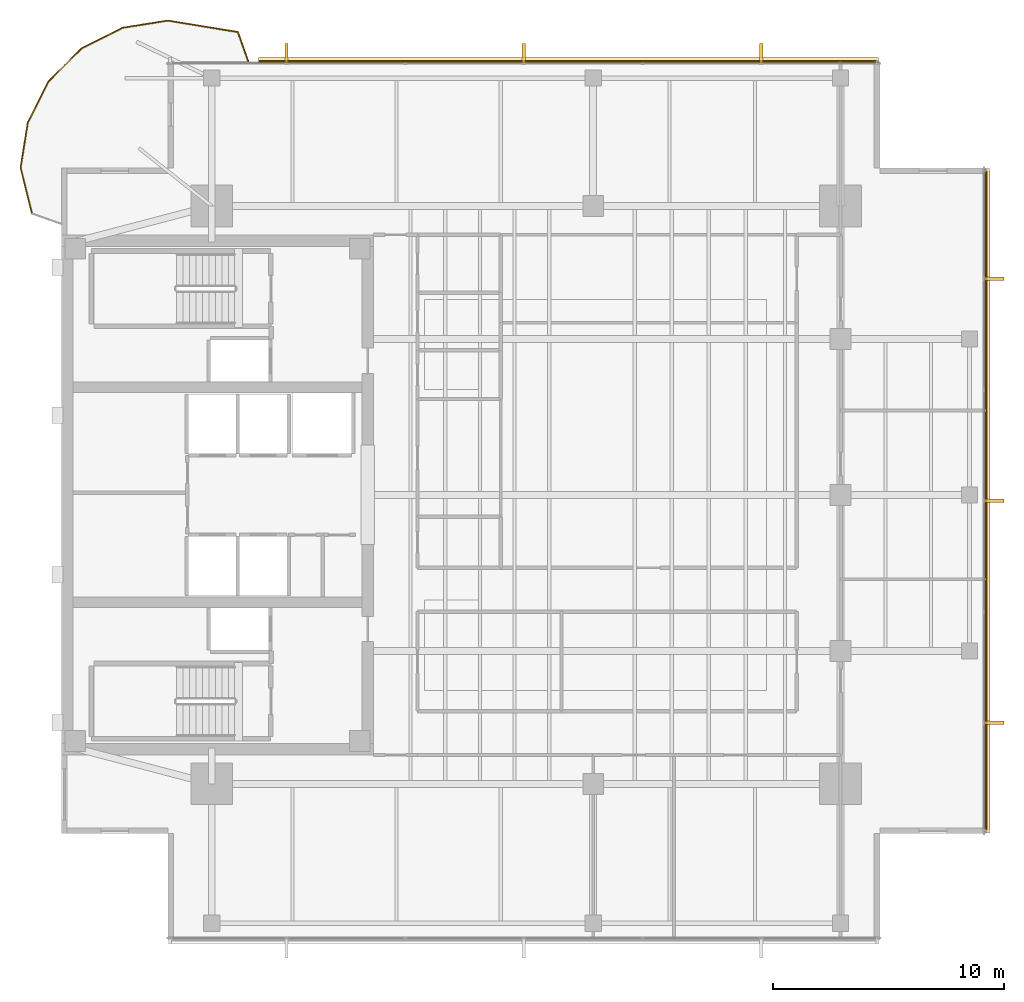
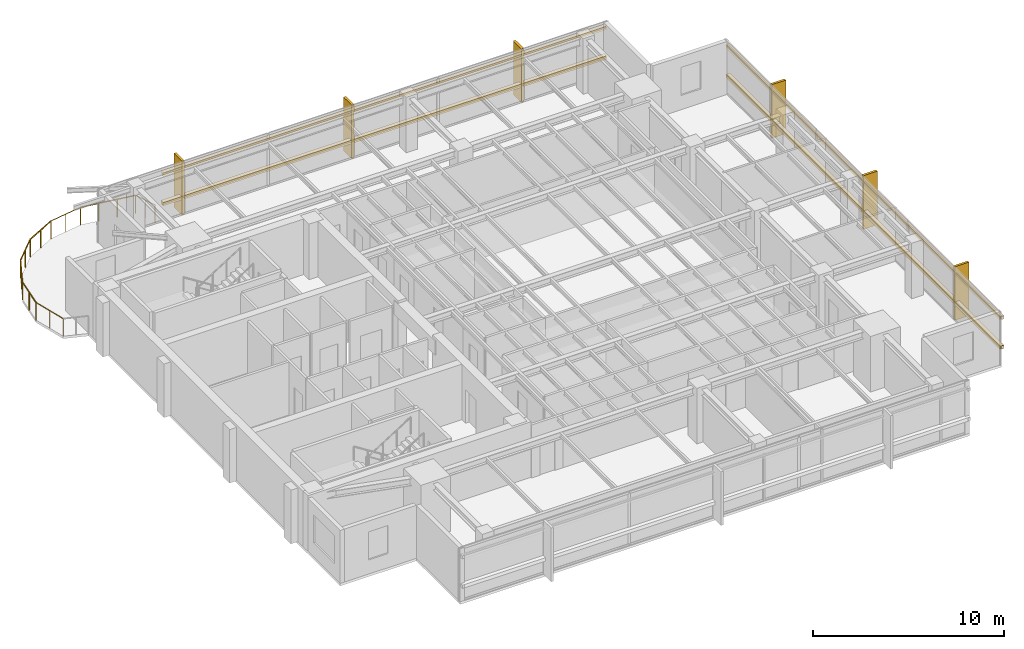
# One storey, part 14 of 14: 10 coverings, 8 railings, 4 shading devices.
"""IFC4 building model written with IfcOpenShell, lengths in metres."""

from ifc_helpers import new_model, si_unit, direction, frame, origin, origin_2d, place, context, subcontext, project, spatial, polyline, rectangle, circle, outline, extrude, material, layer, layer_set, material_profile, profile_set, type_object, element, save


model = new_model("IFC4")

# Units and contexts
model_context = context("Model", 3, precision=1e-05, world=origin(), true_north=direction((0.0, 1.0)))
body_context = subcontext(model_context, "Body", "Model", "MODEL_VIEW")
ifc_project = project(units=[si_unit("LENGTHUNIT", "METRE"), si_unit("AREAUNIT", "SQUARE_METRE"), si_unit("VOLUMEUNIT", "CUBIC_METRE"), si_unit("PLANEANGLEUNIT", "RADIAN"), si_unit("MASSUNIT", "GRAM", prefix="KILO")], contexts=[model_context])

# Site, building, storey
site_placement = place(None, origin())
site = spatial("IfcSite", under=ifc_project, at=site_placement, CompositionType="ELEMENT")
building_placement = place(site_placement, origin())
building = spatial("IfcBuilding", under=site, at=building_placement, Name="Kinhvarn Gate Tower", CompositionType="ELEMENT")
storey_placement = place(building_placement, frame((0.0, 0.0, 270.550048828125)))
storey = spatial("IfcBuildingStorey", under=building, at=storey_placement, Name="L72", CompositionType="ELEMENT", Elevation=270.550048828125)

# Coverings
ifc_material_1 = material(Name="Fired architectural terracotta", Category="masonry")
ifc_layer_1 = layer(ifc_material_1, 0.239990234375)
ifc_layer_set_1 = layer_set([ifc_layer_1], Name="Fired architectural terracotta")
covering_type_1 = type_object("IfcCoveringType", Name="COV-BAG-220", PredefinedType="CLADDING", material=ifc_layer_set_1)
covering_1_placement = place(storey_placement, frame((0.0, 0.0, 0.93994140625)))
element("IfcCovering", 1, at=covering_1_placement, inside=storey, type_object=covering_type_1, Name="Terracotta Horizontal Sunscreen Band TBG-220 (L72)", PredefinedType="CLADDING", context=body_context, shape_type="SweptSolid", body=[
    extrude(outline(polyline([(39.860107421875, 43.929931640625), (13.032958984375, 43.929931640625), (13.032958984375, 44.169921875), (39.860107421875, 44.169921875), (39.860107421875, 43.929931640625)])), origin(), (0.0, 0.0, 1.0), 0.219970703125),
])
covering_2_placement = place(storey_placement, frame((0.0, 0.0, 2.829833984375)))
element("IfcCovering", 2, at=covering_2_placement, inside=storey, type_object=covering_type_1, Name="Terracotta Horizontal Sunscreen Band TBG-220 (L72)", PredefinedType="CLADDING", context=body_context, shape_type="SweptSolid", body=[
    extrude(outline(polyline([(39.860107421875, 43.929931640625), (13.032958984375, 43.929931640625), (13.032958984375, 44.169921875), (39.860107421875, 44.169921875), (39.860107421875, 43.929931640625)])), origin(), (0.0, 0.0, 1.0), 0.22021484375),
])
covering_3_placement = place(storey_placement, frame((0.0, 0.0, 0.93994140625)))
element("IfcCovering", 3, at=covering_3_placement, inside=storey, type_object=covering_type_1, Name="Terracotta Horizontal Sunscreen Band TBG-220 (L72)", PredefinedType="CLADDING", context=body_context, shape_type="SweptSolid", body=[
    extrude(outline(polyline([(44.429931640625, 10.639892578125), (44.429931640625, 39.360107421875), (44.669921875, 39.360107421875), (44.669921875, 10.639892578125), (44.429931640625, 10.639892578125)])), origin(), (0.0, 0.0, 1.0), 0.219970703125),
])
covering_4_placement = place(storey_placement, frame((0.0, 0.0, 2.829833984375)))
element("IfcCovering", 4, at=covering_4_placement, inside=storey, type_object=covering_type_1, Name="Terracotta Horizontal Sunscreen Band TBG-220 (L72)", PredefinedType="CLADDING", context=body_context, shape_type="SweptSolid", body=[
    extrude(outline(polyline([(44.429931640625, 10.639892578125), (44.429931640625, 39.360107421875), (44.669921875, 39.360107421875), (44.669921875, 10.639892578125), (44.429931640625, 10.639892578125)])), origin(), (0.0, 0.0, 1.0), 0.22021484375),
])
ifc_layer_2 = layer(ifc_material_1, 0.139892578125)
ifc_layer_set_2 = layer_set([ifc_layer_2], Name="Fired architectural terracotta")
covering_type_2 = type_object("IfcCoveringType", Name="COV-FIN-850", PredefinedType="CLADDING", material=ifc_layer_set_2)
covering_5_placement = place(storey_placement, frame((0.0, 0.0, -0.02001953125)))
element("IfcCovering", 5, at=covering_5_placement, inside=storey, type_object=covering_type_2, Name="Vertical Terracotta Expressive Fin TFN-850 (L72)", PredefinedType="CLADDING", context=body_context, shape_type="SweptSolid", body=[
    extrude(outline(polyline([(34.836669921875, 43.919921875), (34.69677734375, 43.919921875), (34.69677734375, 44.77001953125), (34.836669921875, 44.77001953125), (34.836669921875, 43.919921875)])), origin(), (0.0, 0.0, 1.0), 3.429931640625),
])
covering_6_placement = place(storey_placement, frame((0.0, 0.0, -0.02001953125)))
element("IfcCovering", 6, at=covering_6_placement, inside=storey, type_object=covering_type_2, Name="Vertical Terracotta Expressive Fin TFN-850 (L72)", PredefinedType="CLADDING", context=body_context, shape_type="SweptSolid", body=[
    extrude(outline(polyline([(24.570068359375, 43.919921875), (24.429931640625, 43.919921875), (24.429931640625, 44.77001953125), (24.570068359375, 44.77001953125), (24.570068359375, 43.919921875)])), origin(), (0.0, 0.0, 1.0), 3.429931640625),
])
covering_7_placement = place(storey_placement, frame((0.0, 0.0, -0.02001953125)))
element("IfcCovering", 7, at=covering_7_placement, inside=storey, type_object=covering_type_2, Name="Vertical Terracotta Expressive Fin TFN-850 (L72)", PredefinedType="CLADDING", context=body_context, shape_type="SweptSolid", body=[
    extrude(outline(polyline([(14.30322265625, 43.919921875), (14.163330078125, 43.919921875), (14.163330078125, 44.77001953125), (14.30322265625, 44.77001953125), (14.30322265625, 43.919921875)])), origin(), (0.0, 0.0, 1.0), 3.429931640625),
])
covering_8_placement = place(storey_placement, frame((0.0, 0.0, -0.02001953125)))
element("IfcCovering", 8, at=covering_8_placement, inside=storey, type_object=covering_type_2, Name="Vertical Terracotta Expressive Fin TFN-850 (L72)", PredefinedType="CLADDING", context=body_context, shape_type="SweptSolid", body=[
    extrude(outline(polyline([(44.419921875, 15.330078125), (44.419921875, 15.469970703125), (45.27001953125, 15.469970703125), (45.27001953125, 15.330078125), (44.419921875, 15.330078125)])), origin(), (0.0, 0.0, 1.0), 3.429931640625),
])
covering_9_placement = place(storey_placement, frame((0.0, 0.0, -0.02001953125)))
element("IfcCovering", 9, at=covering_9_placement, inside=storey, type_object=covering_type_2, Name="Vertical Terracotta Expressive Fin TFN-850 (L72)", PredefinedType="CLADDING", context=body_context, shape_type="SweptSolid", body=[
    extrude(outline(polyline([(44.419921875, 24.929931640625), (44.419921875, 25.070068359375), (45.27001953125, 25.070068359375), (45.27001953125, 24.929931640625), (44.419921875, 24.929931640625)])), origin(), (0.0, 0.0, 1.0), 3.429931640625),
])
covering_10_placement = place(storey_placement, frame((0.0, 0.0, -0.02001953125)))
element("IfcCovering", 10, at=covering_10_placement, inside=storey, type_object=covering_type_2, Name="Vertical Terracotta Expressive Fin TFN-850 (L72)", PredefinedType="CLADDING", context=body_context, shape_type="SweptSolid", body=[
    extrude(outline(polyline([(44.419921875, 34.530029296875), (44.419921875, 34.669921875), (45.27001953125, 34.669921875), (45.27001953125, 34.530029296875), (44.419921875, 34.530029296875)])), origin(), (0.0, 0.0, 1.0), 3.429931640625),
])

# Railings
ifc_material_2 = material(Name="Clear low-e double glazing", Category="glass")
railing_type = type_object("IfcRailingType", Name="RL-BAL-1150", PredefinedType="BALUSTRADE", material=ifc_material_2)
railing_1_placement = place(storey_placement, frame((12.5830078125, 44.0, 0.0)))
element("IfcRailing", 11, at=railing_1_placement, inside=storey, type_object=railing_type, Name="S-Carve Balcony Guardrail Seg 1 (L72)", PredefinedType="BALUSTRADE", context=body_context, shape_type="SweptSolid", body=[
    extrude(circle(Radius=0.02392578125, at=origin_2d()), frame((0.0, 0.0, 1.1259765625), z_axis=(-0.332924054606, 0.94295364354, 0.0), x_axis=(-0.94295364354, -0.332924054606, 0.0)), (0.0, 0.0, 1.0), 1.3515625),
    extrude(circle(Radius=0.02099609375, at=origin_2d()), origin(), (0.0, 0.0, 1.0), 1.101806640625),
    extrude(circle(Radius=0.02099609375, at=origin_2d()), frame((-0.22509765625, 0.63720703125, 0.0)), (0.0, 0.0, 1.0), 1.101806640625),
    extrude(circle(Radius=0.02099609375, at=origin_2d()), frame((-0.449951171875, 1.2744140625, 0.0)), (0.0, 0.0, 1.0), 1.101806640625),
])
railing_2_placement = place(storey_placement, frame((12.133056640625, 45.2744140625, 0.0)))
element("IfcRailing", 12, at=railing_2_placement, inside=storey, type_object=railing_type, Name="S-Carve Balcony Guardrail Seg 2 (L72)", PredefinedType="BALUSTRADE", context=body_context, shape_type="SweptSolid", body=[
    extrude(circle(Radius=0.02392578125, at=origin_2d()), frame((0.0, 0.0, 1.1259765625), z_axis=(-0.986910698512, 0.16126770651, 0.0), x_axis=(-0.16126770651, -0.986910698512, 0.0)), (0.0, 0.0, 1.0), 3.0732421875),
    extrude(circle(Radius=0.02099609375, at=origin_2d()), origin(), (0.0, 0.0, 1.0), 1.101806640625),
    extrude(circle(Radius=0.02099609375, at=origin_2d()), frame((-1.010986328125, 0.165283203125, 0.0)), (0.0, 0.0, 1.0), 1.101806640625),
    extrude(circle(Radius=0.02099609375, at=origin_2d()), frame((-2.02197265625, 0.330322265625, 0.0)), (0.0, 0.0, 1.0), 1.101806640625),
    extrude(circle(Radius=0.02099609375, at=origin_2d()), frame((-3.032958984375, 0.49560546875, 0.0)), (0.0, 0.0, 1.0), 1.101806640625),
])
railing_3_placement = place(storey_placement, frame((9.10009765625, 45.77001953125, 0.0)))
element("IfcRailing", 13, at=railing_3_placement, inside=storey, type_object=railing_type, Name="S-Carve Balcony Guardrail Seg 3 (L72)", PredefinedType="BALUSTRADE", context=body_context, shape_type="SweptSolid", body=[
    extrude(circle(Radius=0.02392578125, at=origin_2d()), frame((0.0, 0.0, 1.1259765625), z_axis=(-0.987689357742, -0.156428042892, 0.0), x_axis=(0.156428042892, -0.987689357742, 0.0)), (0.0, 0.0, 1.0), 1.992919921875),
    extrude(circle(Radius=0.02099609375, at=origin_2d()), origin(), (0.0, 0.0, 1.0), 1.101806640625),
    extrude(circle(Radius=0.02099609375, at=origin_2d()), frame((-0.984375, -0.15576171875, 0.0)), (0.0, 0.0, 1.0), 1.101806640625),
    extrude(circle(Radius=0.02099609375, at=origin_2d()), frame((-1.968505859375, -0.311767578125, 0.0)), (0.0, 0.0, 1.0), 1.101806640625),
])
railing_4_placement = place(storey_placement, frame((7.131591796875, 45.458251953125, 0.0)))
element("IfcRailing", 14, at=railing_4_placement, inside=storey, type_object=railing_type, Name="S-Carve Balcony Guardrail Seg 4 (L72)", PredefinedType="BALUSTRADE", context=body_context, shape_type="SweptSolid", body=[
    extrude(circle(Radius=0.02392578125, at=origin_2d()), frame((0.0, 0.0, 1.1259765625), z_axis=(-0.891020800027, -0.45396248074, 0.0), x_axis=(0.45396248074, -0.891020800027, 0.0)), (0.0, 0.0, 1.0), 1.9931640625),
    extrude(circle(Radius=0.02099609375, at=origin_2d()), origin(), (0.0, 0.0, 1.0), 1.101806640625),
    extrude(circle(Radius=0.02099609375, at=origin_2d()), frame((-0.887939453125, -0.452392578125, 0.0)), (0.0, 0.0, 1.0), 1.101806640625),
    extrude(circle(Radius=0.02099609375, at=origin_2d()), frame((-1.77587890625, -0.90478515625, 0.0)), (0.0, 0.0, 1.0), 1.101806640625),
])
railing_5_placement = place(storey_placement, frame((5.355712890625, 44.553466796875, 0.0)))
element("IfcRailing", 15, at=railing_5_placement, inside=storey, type_object=railing_type, Name="S-Carve Balcony Guardrail Seg 5 (L72)", PredefinedType="BALUSTRADE", context=body_context, shape_type="SweptSolid", body=[
    extrude(circle(Radius=0.02392578125, at=origin_2d()), frame((0.0, 0.0, 1.1259765625), z_axis=(-0.707106781187, -0.707106781187, 0.0), x_axis=(0.707106781187, -0.707106781187, 0.0)), (0.0, 0.0, 1.0), 1.992919921875),
    extrude(circle(Radius=0.02099609375, at=origin_2d()), origin(), (0.0, 0.0, 1.0), 1.101806640625),
    extrude(circle(Radius=0.02099609375, at=origin_2d()), frame((-0.70458984375, -0.70458984375, 0.0)), (0.0, 0.0, 1.0), 1.101806640625),
    extrude(circle(Radius=0.02099609375, at=origin_2d()), frame((-1.4091796875, -1.4091796875, 0.0)), (0.0, 0.0, 1.0), 1.101806640625),
])
railing_6_placement = place(storey_placement, frame((3.946533203125, 43.144287109375, 0.0)))
element("IfcRailing", 16, at=railing_6_placement, inside=storey, type_object=railing_type, Name="S-Carve Balcony Guardrail Seg 6 (L72)", PredefinedType="BALUSTRADE", context=body_context, shape_type="SweptSolid", body=[
    extrude(circle(Radius=0.02392578125, at=origin_2d()), frame((0.0, 0.0, 1.1259765625), z_axis=(-0.45396248074, -0.891020800027, 0.0), x_axis=(0.891020800027, -0.45396248074, 0.0)), (0.0, 0.0, 1.0), 1.9931640625),
    extrude(circle(Radius=0.02099609375, at=origin_2d()), origin(), (0.0, 0.0, 1.0), 1.101806640625),
    extrude(circle(Radius=0.02099609375, at=origin_2d()), frame((-0.452392578125, -0.887939453125, 0.0)), (0.0, 0.0, 1.0), 1.101806640625),
    extrude(circle(Radius=0.02099609375, at=origin_2d()), frame((-0.90478515625, -1.77587890625, 0.0)), (0.0, 0.0, 1.0), 1.101806640625),
])
railing_7_placement = place(storey_placement, frame((3.041748046875, 41.368408203125, 0.0)))
element("IfcRailing", 17, at=railing_7_placement, inside=storey, type_object=railing_type, Name="S-Carve Balcony Guardrail Seg 7 (L72)", PredefinedType="BALUSTRADE", context=body_context, shape_type="SweptSolid", body=[
    extrude(circle(Radius=0.02392578125, at=origin_2d()), frame((0.0, 0.0, 1.1259765625), z_axis=(-0.156428042892, -0.987689357742, 0.0), x_axis=(0.987689357742, -0.156428042892, 0.0)), (0.0, 0.0, 1.0), 1.992919921875),
    extrude(circle(Radius=0.02099609375, at=origin_2d()), origin(), (0.0, 0.0, 1.0), 1.101806640625),
    extrude(circle(Radius=0.02099609375, at=origin_2d()), frame((-0.15576171875, -0.984375, 0.0)), (0.0, 0.0, 1.0), 1.101806640625),
    extrude(circle(Radius=0.02099609375, at=origin_2d()), frame((-0.311767578125, -1.968505859375, 0.0)), (0.0, 0.0, 1.0), 1.101806640625),
])
railing_8_placement = place(storey_placement, frame((2.72998046875, 39.39990234375, 0.0)))
element("IfcRailing", 18, at=railing_8_placement, inside=storey, type_object=railing_type, Name="S-Carve Balcony Guardrail Seg 8 (L72)", PredefinedType="BALUSTRADE", context=body_context, shape_type="SweptSolid", body=[
    extrude(circle(Radius=0.02392578125, at=origin_2d()), frame((0.0, 0.0, 1.1259765625), z_axis=(0.242254821112, -0.970212657951, 0.0), x_axis=(0.970212657951, 0.242254821112, 0.0)), (0.0, 0.0, 1.0), 2.0458984375),
    extrude(circle(Radius=0.02099609375, at=origin_2d()), origin(), (0.0, 0.0, 1.0), 1.101806640625),
    extrude(circle(Radius=0.02099609375, at=origin_2d()), frame((0.247802734375, -0.992431640625, 0.0)), (0.0, 0.0, 1.0), 1.101806640625),
    extrude(circle(Radius=0.02099609375, at=origin_2d()), frame((0.49560546875, -1.98486328125, 0.0)), (0.0, 0.0, 1.0), 1.101806640625),
])

# Shading devices
ifc_material_profile = material_profile(ifc_material_1, rectangle(XDim=0.050048828125, YDim=0.1201171875, at=origin_2d()), Name="TC 50x120")
ifc_profile_set = profile_set([ifc_material_profile], Name="Fired architectural terracotta")
shading_device_type = type_object("IfcShadingDeviceType", Name="SHD-BAG-140", PredefinedType="USERDEFINED", material=ifc_profile_set)
for number, where, z_axis, x_axis, name in (
    (19, (39.860107421875, 44.0, 1.050048828125), (-1.0, 0.0, 0.0), (0.0, -1.0, 0.0), "Upper Tower Terracotta Baguette Screen Rod 50x120 mm (L72)"),
    (20, (39.860107421875, 44.0, 2.93994140625), (-1.0, 0.0, 0.0), (0.0, -1.0, 0.0), "Upper Tower Terracotta Baguette Screen Rod 50x120 mm (L72)"),
):
    element("IfcShadingDevice", number, at=place(storey_placement, frame(where, z_axis=z_axis, x_axis=x_axis)), inside=storey, type_object=shading_device_type, Name=name, ObjectType="BAGUETTE", PredefinedType="USERDEFINED", context=body_context, shape_type="SweptSolid", body=[
        extrude(rectangle(XDim=0.050048828125, YDim=0.1201171875, at=origin_2d()), origin(), (0.0, 0.0, 1.0), 26.8271484375),
    ])
for number, where, z_axis, x_axis, name in (
    (21, (44.5, 10.639892578125, 1.050048828125), (0.0, 1.0, 0.0), (-1.0, 0.0, 0.0), "Upper Tower Terracotta Baguette Screen Rod 50x120 mm (L72)"),
    (22, (44.5, 10.639892578125, 2.93994140625), (0.0, 1.0, 0.0), (-1.0, 0.0, 0.0), "Upper Tower Terracotta Baguette Screen Rod 50x120 mm (L72)"),
):
    element("IfcShadingDevice", number, at=place(storey_placement, frame(where, z_axis=z_axis, x_axis=x_axis)), inside=storey, type_object=shading_device_type, Name=name, ObjectType="BAGUETTE", PredefinedType="USERDEFINED", context=body_context, shape_type="SweptSolid", body=[
        extrude(rectangle(XDim=0.050048828125, YDim=0.1201171875, at=origin_2d()), origin(), (0.0, 0.0, 1.0), 28.72021484375),
    ])

save(model, "model.ifc")
